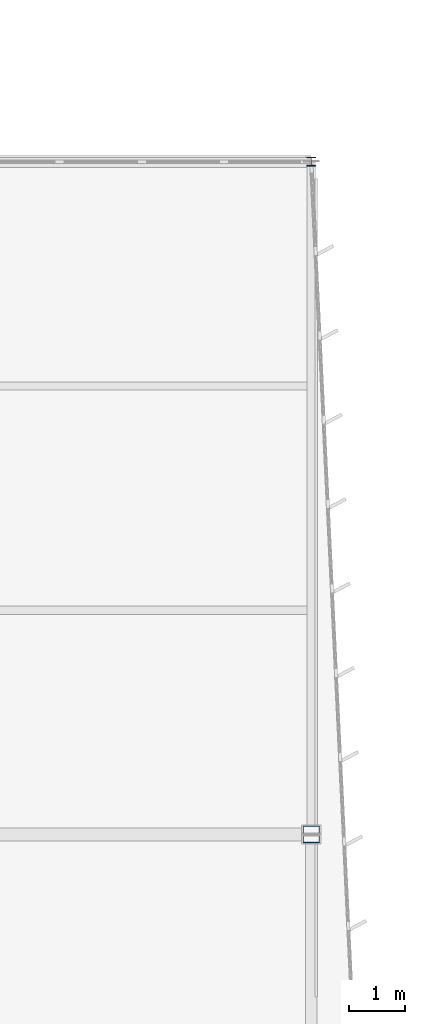
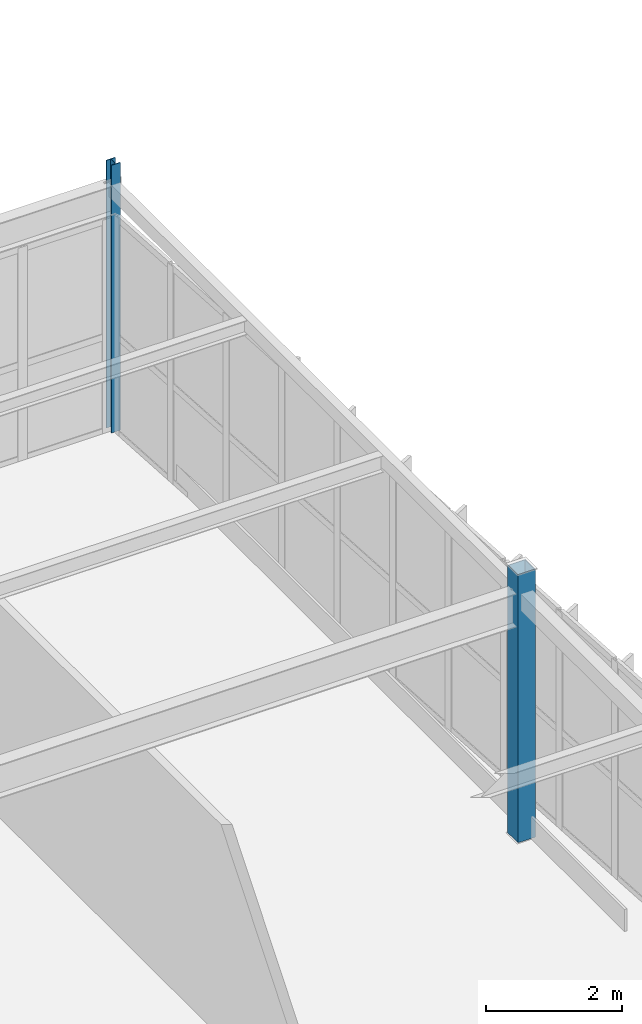
# One storey, part 49 of 226: 2 columns.
"""IFC4 building model written with IfcOpenShell, lengths in metres."""

from ifc_helpers import new_model, si_unit, direction, frame, origin, origin_2d, place, context, subcontext, project, spatial, hollow_rectangle, i_section, extrude, material, material_profile, profile_set, type_object, element, save


model = new_model("IFC4")

# Units and contexts
model_context = context("Model", 3, precision=1e-05, world=origin(), true_north=direction((0.0, 1.0)))
body_context = subcontext(model_context, "Body", "Model", "MODEL_VIEW")
ifc_project = project(units=[si_unit("LENGTHUNIT", "METRE"), si_unit("AREAUNIT", "SQUARE_METRE"), si_unit("VOLUMEUNIT", "CUBIC_METRE"), si_unit("PLANEANGLEUNIT", "RADIAN"), si_unit("MASSUNIT", "GRAM", prefix="KILO")], contexts=[model_context])

# Site, building, storey
site_placement = place(None, origin())
site = spatial("IfcSite", under=ifc_project, at=site_placement, CompositionType="ELEMENT")
building_placement = place(site_placement, origin())
building = spatial("IfcBuilding", under=site, at=building_placement, Name="Tarnwether General Hospital", CompositionType="ELEMENT")
storey_placement = place(building_placement, frame((0.0, 0.0, 4.800048828125)))
storey = spatial("IfcBuildingStorey", under=building, at=storey_placement, Name="L01", CompositionType="ELEMENT", Elevation=4.800048828125)

# Columns
ifc_material_1 = material(Name="Steel Grade C350L0 (350 MPa)", Category="steel")
ifc_material_profile_1 = material_profile(ifc_material_1, hollow_rectangle(XDim=0.300048828125, YDim=0.300048828125, WallThickness=0.012451171875, at=origin_2d()), Name="SHS300x300x12.5")
ifc_profile_set_1 = profile_set([ifc_material_profile_1], Name="Steel Grade C350L0 (350 MPa)")
column_type_1 = type_object("IfcColumnType", Name="COL-30", PredefinedType="COLUMN", material=ifc_profile_set_1)
column_1_placement = place(storey_placement, frame((192.0, 33.60009765625, 0.0), z_axis=(0.0, 0.0, 1.0), x_axis=(1.0, 0.0, 0.0)))
element("IfcColumn", 1, at=column_1_placement, inside=storey, type_object=column_type_1, Name="Column COLG-L01-19200_3360", PredefinedType="COLUMN", context=body_context, shape_type="SweptSolid", body=[
    extrude(hollow_rectangle(XDim=0.300048828125, YDim=0.300048828125, WallThickness=0.012451171875, at=origin_2d()), origin(), (0.0, 0.0, 1.0), 4.800048828125),
])
ifc_material_2 = material(Name="Steel Grade 350 (350 MPa)", Category="steel")
ifc_material_profile_2 = material_profile(ifc_material_2, i_section(OverallWidth=0.153076171875, OverallDepth=0.157958984375, WebThickness=0.006591796875, FlangeThickness=0.009521484375, at=origin_2d()), Name="150UC30.0")
ifc_profile_set_2 = profile_set([ifc_material_profile_2], Name="Steel Grade 350 (350 MPa)")
column_type_2 = type_object("IfcColumnType", Name="COL-31", PredefinedType="COLUMN", material=ifc_profile_set_2)
column_2_placement = place(storey_placement, frame((192.0, 45.60009765625, 0.0), z_axis=(0.0, 0.0, 1.0), x_axis=(1.0, 0.0, 0.0)))
element("IfcColumn", 2, at=column_2_placement, inside=storey, type_object=column_type_2, Name="Column COLG-L01-19200_4560", PredefinedType="COLUMN", context=body_context, shape_type="SweptSolid", body=[
    extrude(i_section(OverallWidth=0.153076171875, OverallDepth=0.157958984375, WebThickness=0.006591796875, FlangeThickness=0.009521484375, at=origin_2d()), origin(), (0.0, 0.0, 1.0), 4.800048828125),
])

save(model, "model.ifc")
